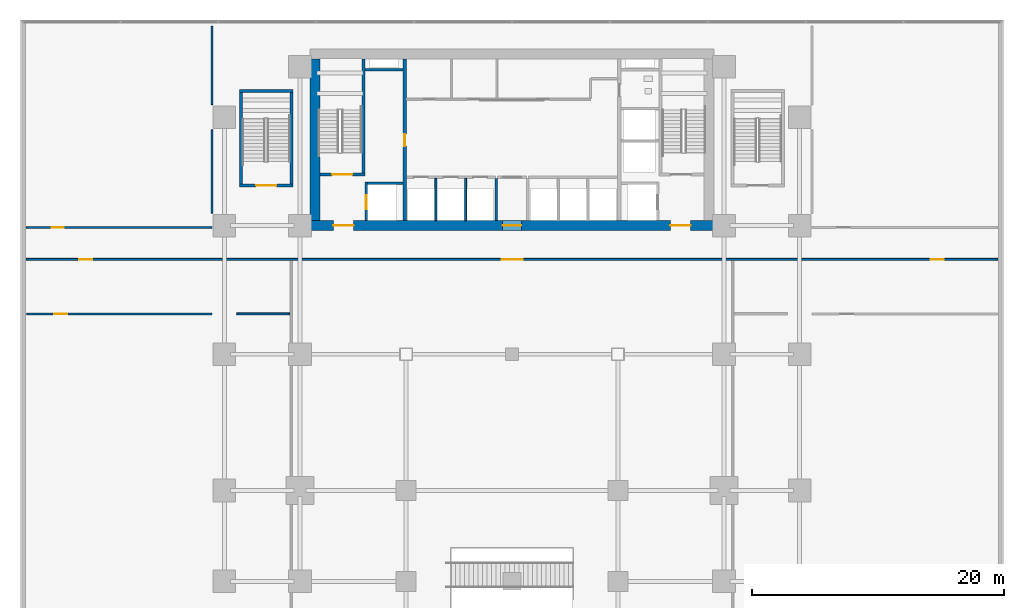
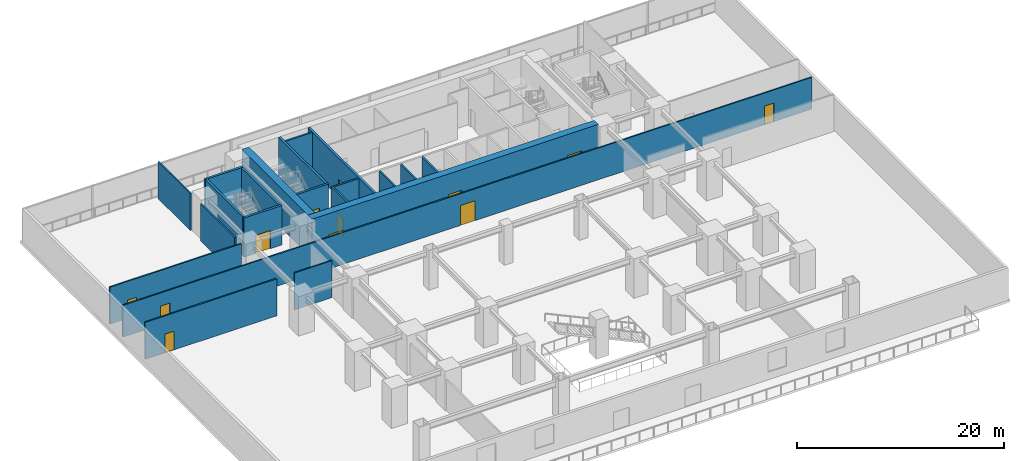
# One storey, part 9 of 17: 21 walls, 12 doors, 12 openings.
"""IFC4 building model written with IfcOpenShell, lengths in metres."""

import ifcopenshell
import ifcopenshell.guid

model = None  # the IFC model being written
_history = None  # IfcOwnerHistory: only IFC2X3 demands one
_inside = {}  # id of a spatial element -> (the spatial element, [elements in it])
_under = {}  # id of a project, library or spatial element -> (it, [spatial elements below it])
_declared = {}  # id of a project -> (the project, [libraries it declares])
_typed = {}  # id of a type object -> (the type object, [elements of that type])
_made_of = {}  # id of a material, layer set ... -> (it, [elements and type objects made of it])


def new_model(schema):
    """Start an empty IFC model of exactly this schema.

    Asked for "IFC4X3", IfcOpenShell would pick the latest addendum, in which some entities
    have other attributes; the version numbers below select the first issue.
    IFC2X3 requires an IfcOwnerHistory on every rooted entity: one is made here for all.
    """
    global model, _history
    if schema == "IFC4X3":
        model = ifcopenshell.file(schema_version=(4, 3, 0, 0))
    else:
        model = ifcopenshell.file(schema=schema)
    _inside.clear()
    _under.clear()
    _declared.clear()
    _typed.clear()
    _made_of.clear()
    _history = None
    if model.schema == "IFC2X3":
        org = make("IfcOrganization", Name="unknown")
        user = make(
            "IfcPersonAndOrganization",
            ThePerson=make("IfcPerson", FamilyName="unknown"),
            TheOrganization=org,
        )
        app = make(
            "IfcApplication",
            ApplicationDeveloper=org,
            Version="unknown",
            ApplicationFullName="unknown",
            ApplicationIdentifier="unknown",
        )
        _history = make(
            "IfcOwnerHistory",
            OwningUser=user,
            OwningApplication=app,
            ChangeAction="ADDED",
            CreationDate=0,
        )
    return model


def make(cls, **values):
    """One entity of the class cls with the attributes given. An attribute that is None is left unset."""
    return model.create_entity(
        cls, **{name: value for name, value in values.items() if value is not None}
    )


def rooted(cls, **values):
    """An entity with a GlobalId (a new one), such as an element, a storey or a relation."""
    return make(cls, GlobalId=ifcopenshell.guid.new(), OwnerHistory=_history, **values)


def si_unit(unit_type, name, prefix=None):
    """IfcSIUnit, for example si_unit("LENGTHUNIT", "METRE", prefix="MILLI")."""
    return make("IfcSIUnit", UnitType=unit_type, Prefix=prefix, Name=name)


def assignment(units):
    """IfcUnitAssignment: the units of a project."""
    return None if units is None else make("IfcUnitAssignment", Units=units)


def point(xyz):
    """IfcCartesianPoint."""
    return None if xyz is None else make("IfcCartesianPoint", Coordinates=xyz)


def direction(xyz):
    """IfcDirection."""
    return None if xyz is None else make("IfcDirection", DirectionRatios=xyz)


def frame(location, z_axis=None, x_axis=None):
    """IfcAxis2Placement3D, a coordinate frame: its origin and axes. An axis left out is left unset."""
    return make(
        "IfcAxis2Placement3D",
        Location=point(location),
        Axis=direction(z_axis),
        RefDirection=direction(x_axis),
    )


def frame_2d(location, x_axis=None):
    """IfcAxis2Placement2D, a coordinate frame in the plane: its origin and x axis."""
    return make(
        "IfcAxis2Placement2D", Location=point(location), RefDirection=direction(x_axis)
    )


def origin():
    """The frame at (0, 0, 0) with its axes left unset."""
    return frame((0.0, 0.0, 0.0))


def place(relative_to, where):
    """IfcLocalPlacement: puts the frame where relative to a parent placement (None: the world)."""
    return make(
        "IfcLocalPlacement", PlacementRelTo=relative_to, RelativePlacement=where
    )


def context(
    kind, dimensions, precision=None, world=None, true_north=None, identifier=None
):
    """IfcGeometricRepresentationContext, for example the 3D "Model" context."""
    return make(
        "IfcGeometricRepresentationContext",
        ContextIdentifier=identifier,
        ContextType=kind,
        CoordinateSpaceDimension=dimensions,
        Precision=precision,
        WorldCoordinateSystem=world,
        TrueNorth=true_north,
    )


def subcontext(parent, identifier, kind, view, scale=None):
    """IfcGeometricRepresentationSubContext, for example "Body" below "Model"."""
    return make(
        "IfcGeometricRepresentationSubContext",
        ContextIdentifier=identifier,
        ContextType=kind,
        ParentContext=parent,
        TargetScale=scale,
        TargetView=view,
    )


def project(units=None, contexts=None):
    """IfcProject with its units and contexts."""
    return rooted(
        "IfcProject",
        Name="project",
        RepresentationContexts=contexts,
        UnitsInContext=assignment(units),
    )


def spatial(cls, under=None, at=None, **own):
    """A site, building, storey or space (cls), placed at a placement, below another one or the project."""
    s = rooted(cls, ObjectPlacement=at, **own)
    if under is not None:
        _under.setdefault(under.id(), (under, []))[1].append(s)
    return s


def profile(cls, at=None, kind="AREA", **sizes):
    """A parametric profile (cls). Its sizes go by their IFC names, for example OverallWidth=200.0."""
    return make(cls, ProfileType=kind, Position=at, **sizes)


def rectangle(**sizes):
    """IfcRectangleProfileDef."""
    return profile("IfcRectangleProfileDef", **sizes)


def extrude(swept, where, along, depth):
    """IfcExtrudedAreaSolid: the profile swept, set in the frame where, extruded along a direction by depth."""
    return make(
        "IfcExtrudedAreaSolid",
        SweptArea=swept,
        Position=where,
        ExtrudedDirection=direction(along),
        Depth=depth,
    )


def shape(context_of_items, identifier, shape_type, items):
    """IfcShapeRepresentation: the items that make up one representation, for example the "Body"."""
    return make(
        "IfcShapeRepresentation",
        ContextOfItems=context_of_items,
        RepresentationIdentifier=identifier,
        RepresentationType=shape_type,
        Items=items,
    )


def source(mapping_origin, context_of_items, identifier, shape_type, items):
    """IfcRepresentationMap: a shape defined once, which mapped items show again and again."""
    return make(
        "IfcRepresentationMap",
        MappingOrigin=mapping_origin,
        MappedRepresentation=shape(context_of_items, identifier, shape_type, items),
    )


def transform(
    local_origin,
    x_axis=None,
    y_axis=None,
    z_axis=None,
    scale=None,
    scale2=None,
    scale3=None,
    uniform=True,
):
    """IfcCartesianTransformationOperator3D, or its non-uniform kind. x_axis, y_axis, z_axis: its Axis1, 2, 3."""
    if uniform:
        return make(
            "IfcCartesianTransformationOperator3D",
            Axis1=direction(x_axis),
            Axis2=direction(y_axis),
            LocalOrigin=point(local_origin),
            Scale=scale,
            Axis3=direction(z_axis),
        )
    return make(
        "IfcCartesianTransformationOperator3DnonUniform",
        Axis1=direction(x_axis),
        Axis2=direction(y_axis),
        LocalOrigin=point(local_origin),
        Scale=scale,
        Axis3=direction(z_axis),
        Scale2=scale2,
        Scale3=scale3,
    )


def mapped(mapping_source, mapping_target):
    """IfcMappedItem: shows the shape of a source again, moved by a transform."""
    return make(
        "IfcMappedItem", MappingSource=mapping_source, MappingTarget=mapping_target
    )


def material(Name=None, Category=None):
    """IfcMaterial."""
    return make("IfcMaterial", Name=Name, Category=Category)


def layer(
    of_material, thickness, ventilated=None, Name=None, Category=None, Priority=None
):
    """IfcMaterialLayer: one layer of a wall or slab, of a material (None: an air gap)."""
    return make(
        "IfcMaterialLayer",
        Material=of_material,
        LayerThickness=thickness,
        IsVentilated=ventilated,
        Name=Name,
        Category=Category,
        Priority=Priority,
    )


def layer_set(layers, Name=None):
    """IfcMaterialLayerSet."""
    return make("IfcMaterialLayerSet", MaterialLayers=layers, LayerSetName=Name)


def made_of(thing, what):
    """Note that an element or type object is made of a material, layer set ...; save() writes the relation."""
    if what is not None:
        _made_of.setdefault(what.id(), (what, []))[1].append(thing)
    return thing


def type_object(cls, material=None, **own):
    """A type object (cls), such as IfcWallType, which elements share."""
    return made_of(rooted(cls, **own), material)


def element(
    cls,
    number,
    at=None,
    inside=None,
    cuts=None,
    type_object=None,
    material=None,
    context=None,
    identifier="Body",
    shape_type=None,
    held_by="IfcProductDefinitionShape",
    body=None,
    shapes=None,
    **own,
):
    """One element of the class cls, such as IfcWall. Its Tag is "e" and its number.

    at: its placement. inside: the storey or other place that contains it. cuts: it is an
    opening in that element (IfcRelVoidsElement). A single representation is given by context,
    identifier, shape_type and body (its items); several are given by shapes. held_by: the class
    of the entity that holds the representations. save() writes the other relations.
    """
    e = rooted(cls, Tag="e%d" % number, ObjectPlacement=at, **own)
    if body is not None:
        shapes = [shape(context, identifier, shape_type, body)]
    if shapes is not None:
        e.Representation = make(held_by, Representations=shapes)
    if inside is not None:
        _inside.setdefault(inside.id(), (inside, []))[1].append(e)
    if cuts is not None:
        rooted(
            "IfcRelVoidsElement", RelatingBuildingElement=cuts, RelatedOpeningElement=e
        )
    if type_object is not None:
        _typed.setdefault(type_object.id(), (type_object, []))[1].append(e)
    return made_of(e, material)


def fill(opening, filler):
    """IfcRelFillsElement: the door or window that sits in an opening."""
    return rooted(
        "IfcRelFillsElement",
        RelatingOpeningElement=opening,
        RelatedBuildingElement=filler,
    )


def aggregate(whole, parts):
    """IfcRelAggregates: a whole, such as a stair, and the parts it consists of."""
    return rooted("IfcRelAggregates", RelatingObject=whole, RelatedObjects=parts)


def save(model, path):
    """Write the relations noted so far, then the file.

    IfcRelAggregates (storeys below a building ...), IfcRelContainedInSpatialStructure (elements
    in a storey), IfcRelDefinesByType, IfcRelAssociatesMaterial and IfcRelDeclares: one each for
    every whole, place, type object, material and project.
    """
    for whole, parts in _under.values():
        aggregate(whole, parts)
    for where, things in _inside.values():
        rooted(
            "IfcRelContainedInSpatialStructure",
            RelatedElements=things,
            RelatingStructure=where,
        )
    for kind, things in _typed.values():
        rooted("IfcRelDefinesByType", RelatedObjects=things, RelatingType=kind)
    for what, things in _made_of.values():
        rooted("IfcRelAssociatesMaterial", RelatedObjects=things, RelatingMaterial=what)
    for by, libraries in _declared.values():
        rooted("IfcRelDeclares", RelatingContext=by, RelatedDefinitions=libraries)
    model.write(path)


model = new_model("IFC4")

# Units and contexts
model_context = context("Model", 3, precision=1e-05, world=origin(), true_north=direction((0.0, 1.0)))
body_context = subcontext(model_context, "Body", "Model", "MODEL_VIEW")
ifc_project = project(units=[si_unit("LENGTHUNIT", "METRE"), si_unit("AREAUNIT", "SQUARE_METRE"), si_unit("VOLUMEUNIT", "CUBIC_METRE"), si_unit("PLANEANGLEUNIT", "RADIAN"), si_unit("MASSUNIT", "GRAM", prefix="KILO")], contexts=[model_context])

# Site, building, storey
site_placement = place(None, origin())
site = spatial("IfcSite", under=ifc_project, at=site_placement, CompositionType="ELEMENT")
building_placement = place(site_placement, origin())
building = spatial("IfcBuilding", under=site, at=building_placement, Name="Sumidabori Civic Tower", CompositionType="ELEMENT")
storey_placement = place(building_placement, frame((0.0, 0.0, 5.0)))
storey = spatial("IfcBuildingStorey", under=building, at=storey_placement, Name="L01", CompositionType="ELEMENT", Elevation=5.0)

# Wall, openings, doors
ifc_material_1 = material(Name="Concrete C60/75", Category="concrete")
ifc_layer_1 = layer(ifc_material_1, 0.800048828125, Name="Concrete C60/75")
ifc_layer_set_1 = layer_set([ifc_layer_1], Name="Concrete C60/75")
wall_type_1 = type_object("IfcWallType", Name="WL-CORE-800", PredefinedType="SHEAR", material=ifc_layer_set_1)
shared_shape_1 = source(origin(), body_context, "Body", "SweptSolid", [
    extrude(rectangle(XDim=32.0, YDim=0.800048828125, at=frame_2d((16.0, 0.0))), origin(), (0.0, 0.0, 1.0), 4.64990234375),
])
wall_1_placement = place(storey_placement, frame((-16.0, 10.199951171875, 0.0), z_axis=(0.0, 0.0, 1.0), x_axis=(1.0, 0.0, 0.0)))
wall_1 = element("IfcWall", 1, at=wall_1_placement, inside=storey, type_object=wall_type_1, Name="Core Shear Wall L01 S", PredefinedType="SHEAR", context=body_context, shape_type="MappedRepresentation", body=[
    mapped(shared_shape_1, transform((0.0, 0.0, 0.0), x_axis=(1.0, 0.0, 0.0), y_axis=(0.0, 1.0, 0.0), z_axis=(0.0, 0.0, 1.0), scale=1.0)),
])
opening_1_placement = place(wall_1_placement, frame((1.85009765625, 0.0, 0.0)))
opening_1 = element("IfcOpeningElement", 2, at=opening_1_placement, cuts=wall_1, Name="Opening DR-FD4", PredefinedType="OPENING", context=body_context, shape_type="SweptSolid", body=[
    extrude(rectangle(XDim=1.60009765625, YDim=2.14990234375, at=frame_2d((0.800048828125, 1.074951171875))), frame((0.0, 0.412109375, 0.0), z_axis=(0.0, -1.0, 0.0), x_axis=(1.0, 0.0, 0.0)), (0.0, 0.0, 1.0), 0.823974609375),
])
opening_2_placement = place(wall_1_placement, frame((28.550048828125, 0.0, 0.0)))
opening_2 = element("IfcOpeningElement", 3, at=opening_2_placement, cuts=wall_1, Name="Opening DR-FD4", PredefinedType="OPENING", context=body_context, shape_type="SweptSolid", body=[
    extrude(rectangle(XDim=1.60009765625, YDim=2.14990234375, at=frame_2d((0.800048828125, 1.074951171875))), frame((0.0, 0.412109375, 0.0), z_axis=(0.0, -1.0, 0.0), x_axis=(1.0, 0.0, 0.0)), (0.0, 0.0, 1.0), 0.823974609375),
])
opening_3_placement = place(wall_1_placement, frame((15.25, 0.0, 0.0)))
opening_3 = element("IfcOpeningElement", 4, at=opening_3_placement, cuts=wall_1, Name="Opening DR-FD3", PredefinedType="OPENING", context=body_context, shape_type="SweptSolid", body=[
    extrude(rectangle(XDim=1.5, YDim=2.199951171875, at=frame_2d((0.75, 1.10009765625))), frame((0.0, 0.412109375, 0.0), z_axis=(0.0, -1.0, 0.0), x_axis=(1.0, 0.0, 0.0)), (0.0, 0.0, 1.0), 0.823974609375),
])
ifc_material_2 = material(Name="Steel SN490", Category="steel")
door_type_1 = type_object("IfcDoorType", Name="DR-FD4", OperationType="DOUBLE_DOOR_SINGLE_SWING", PredefinedType="DOOR", material=ifc_material_2)
shared_shape_2 = source(origin(), body_context, "Body", "SweptSolid", [
    extrude(rectangle(XDim=1.60009765625, YDim=2.14990234375, at=frame_2d((0.800048828125, 1.074951171875))), frame((0.0, 0.02490234375, 0.0), z_axis=(0.0, -1.0, 0.0), x_axis=(1.0, 0.0, 0.0)), (0.0, 0.0, 1.0), 0.050048828125),
])
door_1_placement = place(opening_1_placement, origin())
door_1 = element("IfcDoor", 5, at=door_1_placement, inside=storey, type_object=door_type_1, Name="Door DR:L01:ELOB-W", OperationType="DOUBLE_DOOR_SINGLE_SWING", OverallHeight=2.14990234375, OverallWidth=1.60009765625, PredefinedType="DOOR", context=body_context, shape_type="MappedRepresentation", body=[
    mapped(shared_shape_2, transform((0.0, 0.0, 0.0), x_axis=(1.0, 0.0, 0.0), y_axis=(0.0, 1.0, 0.0), z_axis=(0.0, 0.0, 1.0), scale=1.0)),
])
fill(opening_1, door_1)
door_2_placement = place(opening_2_placement, origin())
door_2 = element("IfcDoor", 6, at=door_2_placement, inside=storey, type_object=door_type_1, Name="Door DR:L01:ELOB-E", OperationType="DOUBLE_DOOR_SINGLE_SWING", OverallHeight=2.14990234375, OverallWidth=1.60009765625, PredefinedType="DOOR", context=body_context, shape_type="MappedRepresentation", body=[
    mapped(shared_shape_2, transform((0.0, 0.0, 0.0), x_axis=(1.0, 0.0, 0.0), y_axis=(0.0, 1.0, 0.0), z_axis=(0.0, 0.0, 1.0), scale=1.0)),
])
fill(opening_2, door_2)
door_type_2 = type_object("IfcDoorType", Name="DR-FD-DBL", OperationType="DOUBLE_DOOR_SINGLE_SWING", PredefinedType="DOOR", material=ifc_material_2)
shared_shape_3 = source(origin(), body_context, "Body", "SweptSolid", [
    extrude(rectangle(XDim=1.5, YDim=2.199951171875, at=frame_2d((0.75, 1.10009765625))), frame((0.0, 0.02490234375, 0.0), z_axis=(0.0, -1.0, 0.0), x_axis=(1.0, 0.0, 0.0)), (0.0, 0.0, 1.0), 0.050048828125),
])
door_3_placement = place(opening_3_placement, origin())
door_3 = element("IfcDoor", 7, at=door_3_placement, inside=storey, type_object=door_type_2, Name="Door DR:L01:THROAT-OUT", OperationType="DOUBLE_DOOR_SINGLE_SWING", OverallHeight=2.199951171875, OverallWidth=1.5, PredefinedType="DOOR", context=body_context, shape_type="MappedRepresentation", body=[
    mapped(shared_shape_3, transform((0.0, 0.0, 0.0), x_axis=(1.0, 0.0, 0.0), y_axis=(0.0, 1.0, 0.0), z_axis=(0.0, 0.0, 1.0), scale=1.0)),
])
fill(opening_3, door_3)

# Wall
shared_shape_4 = source(origin(), body_context, "Body", "SweptSolid", [
    extrude(rectangle(XDim=12.7998046875, YDim=0.800048828125, at=frame_2d((6.39990234375, 0.0))), origin(), (0.0, 0.0, 1.0), 4.64990234375),
])
wall_2_placement = place(storey_placement, frame((-15.60009765625, 10.60009765625, 0.0), z_axis=(0.0, 0.0, 1.0), x_axis=(0.0, 1.0, 0.0)))
element("IfcWall", 8, at=wall_2_placement, inside=storey, type_object=wall_type_1, Name="Core Shear Wall L01 W", PredefinedType="SHEAR", context=body_context, shape_type="MappedRepresentation", body=[
    mapped(shared_shape_4, transform((0.0, 0.0, 0.0), x_axis=(1.0, 0.0, 0.0), y_axis=(0.0, 1.0, 0.0), z_axis=(0.0, 0.0, 1.0), scale=1.0)),
])

# Wall, opening, door
ifc_material_3 = material(Name="Concrete C50/60", Category="concrete")
ifc_layer_2 = layer(ifc_material_3, 0.25, Name="Concrete C50/60")
ifc_layer_set_2 = layer_set([ifc_layer_2], Name="Concrete C50/60")
wall_type_2 = type_object("IfcWallType", Name="WL-SHAFT-250", PredefinedType="SHEAR", material=ifc_layer_set_2)
shared_shape_5 = source(origin(), body_context, "Body", "SweptSolid", [
    extrude(rectangle(XDim=12.7998046875, YDim=0.25, at=frame_2d((6.39990234375, 0.0))), origin(), (0.0, 0.0, 1.0), 4.64990234375),
])
wall_3_placement = place(storey_placement, frame((-8.5, 10.60009765625, 0.0), z_axis=(0.0, 0.0, 1.0), x_axis=(0.0, 1.0, 0.0)))
wall_3 = element("IfcWall", 9, at=wall_3_placement, inside=storey, type_object=wall_type_2, Name="Core Shear Wall L01 WEB-W", PredefinedType="SHEAR", context=body_context, shape_type="MappedRepresentation", body=[
    mapped(shared_shape_5, transform((0.0, 0.0, 0.0), x_axis=(1.0, 0.0, 0.0), y_axis=(0.0, 1.0, 0.0), z_axis=(0.0, 0.0, 1.0), scale=1.0)),
])
opening_4_placement = place(wall_3_placement, frame((5.89990234375, 0.0, 0.0)))
opening_4 = element("IfcOpeningElement", 10, at=opening_4_placement, cuts=wall_3, Name="Opening DR-FD2", PredefinedType="OPENING", context=body_context, shape_type="SweptSolid", body=[
    extrude(rectangle(XDim=0.949951171875, YDim=2.14990234375, at=frame_2d((0.47509765625, 1.074951171875))), frame((0.0, 0.136962890625, 0.0), z_axis=(0.0, -1.0, 0.0), x_axis=(1.0, 0.0, 0.0)), (0.0, 0.0, 1.0), 0.27392578125),
])
door_type_3 = type_object("IfcDoorType", Name="DR-FD2", OperationType="NOTDEFINED", PredefinedType="DOOR", material=ifc_material_2)
shared_shape_6 = source(origin(), body_context, "Body", "SweptSolid", [
    extrude(rectangle(XDim=0.949951171875, YDim=2.14990234375, at=frame_2d((0.47509765625, 1.074951171875))), frame((0.0, 0.02490234375, 0.0), z_axis=(0.0, -1.0, 0.0), x_axis=(1.0, 0.0, 0.0)), (0.0, 0.0, 1.0), 0.050048828125),
])
door_4_placement = place(opening_4_placement, origin())
door_4 = element("IfcDoor", 11, at=door_4_placement, inside=storey, type_object=door_type_3, Name="Door DR:L01:CW-STR", OperationType="SINGLE_SWING_LEFT", OverallHeight=2.14990234375, OverallWidth=0.949951171875, PredefinedType="DOOR", context=body_context, shape_type="MappedRepresentation", body=[
    mapped(shared_shape_6, transform((0.0, 0.0, 0.0), x_axis=(1.0, 0.0, 0.0), y_axis=(0.0, 1.0, 0.0), z_axis=(0.0, 0.0, 1.0), scale=1.0)),
])
fill(opening_4, door_4)

shared_shape_7 = source(origin(), body_context, "Body", "SweptSolid", [
    extrude(rectangle(XDim=3.554931640625, YDim=0.25, at=frame_2d((1.77734375, 0.0))), origin(), (0.0, 0.0, 1.0), 4.64990234375),
])
wall_4_placement = place(storey_placement, frame((-15.199951171875, 14.25, 0.0), z_axis=(0.0, 0.0, 1.0), x_axis=(1.0, 0.0, 0.0)))
wall_4 = element("IfcWall", 12, at=wall_4_placement, inside=storey, type_object=wall_type_2, Name="Core Shear Wall L01 ST1-S", PredefinedType="SHEAR", context=body_context, shape_type="MappedRepresentation", body=[
    mapped(shared_shape_7, transform((0.0, 0.0, 0.0), x_axis=(1.0, 0.0, 0.0), y_axis=(0.0, 1.0, 0.0), z_axis=(0.0, 0.0, 1.0), scale=1.0)),
])
opening_5_placement = place(wall_4_placement, frame((0.949951171875, 0.0, 0.0)))
opening_5 = element("IfcOpeningElement", 13, at=opening_5_placement, cuts=wall_4, Name="Opening DR-FD4", PredefinedType="OPENING", context=body_context, shape_type="SweptSolid", body=[
    extrude(rectangle(XDim=1.60009765625, YDim=2.14990234375, at=frame_2d((0.800048828125, 1.074951171875))), frame((0.0, 0.136962890625, 0.0), z_axis=(0.0, -1.0, 0.0), x_axis=(1.0, 0.0, 0.0)), (0.0, 0.0, 1.0), 0.27392578125),
])
door_5_placement = place(opening_5_placement, origin())
door_5 = element("IfcDoor", 14, at=door_5_placement, inside=storey, type_object=door_type_1, Name="Door DR:L01:ST1", OperationType="DOUBLE_DOOR_SINGLE_SWING", OverallHeight=2.14990234375, OverallWidth=1.60009765625, PredefinedType="DOOR", context=body_context, shape_type="MappedRepresentation", body=[
    mapped(shared_shape_2, transform((0.0, 0.0, 0.0), x_axis=(1.0, 0.0, 0.0), y_axis=(0.0, 1.0, 0.0), z_axis=(0.0, 0.0, 1.0), scale=1.0)),
])
fill(opening_5, door_5)

# Wall
shared_shape_8 = source(origin(), body_context, "Body", "SweptSolid", [
    extrude(rectangle(XDim=9.02490234375, YDim=0.25, at=frame_2d((4.512451171875, 0.0))), origin(), (0.0, 0.0, 1.0), 4.64990234375),
])
wall_5_placement = place(storey_placement, frame((-11.77001953125, 14.375, 0.0), z_axis=(0.0, 0.0, 1.0), x_axis=(0.0, 1.0, 0.0)))
element("IfcWall", 15, at=wall_5_placement, inside=storey, type_object=wall_type_2, Name="Core Shear Wall L01 ST1-E", PredefinedType="SHEAR", context=body_context, shape_type="MappedRepresentation", body=[
    mapped(shared_shape_8, transform((0.0, 0.0, 0.0), x_axis=(1.0, 0.0, 0.0), y_axis=(0.0, 1.0, 0.0), z_axis=(0.0, 0.0, 1.0), scale=1.0)),
])

# Wall, opening, door
ifc_layer_3 = layer(ifc_material_3, 0.199951171875, Name="Concrete C50/60")
ifc_layer_set_3 = layer_set([ifc_layer_3], Name="Concrete C50/60")
wall_type_3 = type_object("IfcWallType", Name="WL-SHAFT-200", PredefinedType="SHEAR", material=ifc_layer_set_3)
shared_shape_9 = source(origin(), body_context, "Body", "SweptSolid", [
    extrude(rectangle(XDim=3.0498046875, YDim=0.199951171875, at=frame_2d((1.52490234375, 0.0))), origin(), (0.0, 0.0, 1.0), 4.64990234375),
])
wall_6_placement = place(storey_placement, frame((-11.550048828125, 10.60009765625, 0.0), z_axis=(0.0, 0.0, 1.0), x_axis=(0.0, 1.0, 0.0)))
wall_6 = element("IfcWall", 16, at=wall_6_placement, inside=storey, type_object=wall_type_3, Name="Core Shear Wall L01 EL1-W", PredefinedType="SHEAR", context=body_context, shape_type="MappedRepresentation", body=[
    mapped(shared_shape_9, transform((0.0, 0.0, 0.0), x_axis=(1.0, 0.0, 0.0), y_axis=(0.0, 1.0, 0.0), z_axis=(0.0, 0.0, 1.0), scale=1.0)),
])
opening_6_placement = place(wall_6_placement, frame((0.89990234375, 0.0, 0.0)))
opening_6 = element("IfcOpeningElement", 17, at=opening_6_placement, cuts=wall_6, Name="Opening LD-2", PredefinedType="OPENING", context=body_context, shape_type="SweptSolid", body=[
    extrude(rectangle(XDim=1.10009765625, YDim=2.14990234375, at=frame_2d((0.550048828125, 1.074951171875))), frame((0.0, 0.11181640625, 0.0), z_axis=(0.0, -1.0, 0.0), x_axis=(1.0, 0.0, 0.0)), (0.0, 0.0, 1.0), 0.223876953125),
])
ifc_material_4 = material(Name="Stainless Steel Hairline Finish", Category="steel")
door_type_4 = type_object("IfcDoorType", Name="DR-LD2", OperationType="DOUBLE_DOOR_SLIDING", PredefinedType="DOOR", material=ifc_material_4)
shared_shape_10 = source(origin(), body_context, "Body", "SweptSolid", [
    extrude(rectangle(XDim=1.10009765625, YDim=2.14990234375, at=frame_2d((0.550048828125, 1.074951171875))), frame((0.0, 0.02490234375, 0.0), z_axis=(0.0, -1.0, 0.0), x_axis=(1.0, 0.0, 0.0)), (0.0, 0.0, 1.0), 0.050048828125),
])
door_6_placement = place(opening_6_placement, origin())
door_6 = element("IfcDoor", 18, at=door_6_placement, inside=storey, type_object=door_type_4, Name="Door DR:L01:LD-EL1", OperationType="DOUBLE_DOOR_SLIDING", OverallHeight=2.14990234375, OverallWidth=1.10009765625, PredefinedType="DOOR", context=body_context, shape_type="MappedRepresentation", body=[
    mapped(shared_shape_10, transform((0.0, 0.0, 0.0), x_axis=(1.0, 0.0, 0.0), y_axis=(0.0, 1.0, 0.0), z_axis=(0.0, 0.0, 1.0), scale=1.0)),
])
fill(opening_6, door_6)

# Walls
shared_shape_11 = source(origin(), body_context, "Body", "SweptSolid", [
    extrude(rectangle(XDim=2.824951171875, YDim=0.199951171875, at=frame_2d((1.41259765625, 0.0))), origin(), (0.0, 0.0, 1.0), 4.64990234375),
])
wall_7_placement = place(storey_placement, frame((-11.449951171875, 13.550048828125, 0.0), z_axis=(0.0, 0.0, 1.0), x_axis=(1.0, 0.0, 0.0)))
element("IfcWall", 19, at=wall_7_placement, inside=storey, type_object=wall_type_3, Name="Core Shear Wall L01 EL1-N", PredefinedType="SHEAR", context=body_context, shape_type="MappedRepresentation", body=[
    mapped(shared_shape_11, transform((0.0, 0.0, 0.0), x_axis=(1.0, 0.0, 0.0), y_axis=(0.0, 1.0, 0.0), z_axis=(0.0, 0.0, 1.0), scale=1.0)),
])
shared_shape_12 = source(origin(), body_context, "Body", "SweptSolid", [
    extrude(rectangle(XDim=3.02001953125, YDim=0.199951171875, at=frame_2d((1.510009765625, 0.0))), origin(), (0.0, 0.0, 1.0), 4.64990234375),
])
wall_8_placement = place(storey_placement, frame((-11.64501953125, 22.550048828125, 0.0), z_axis=(0.0, 0.0, 1.0), x_axis=(1.0, 0.0, 0.0)))
element("IfcWall", 20, at=wall_8_placement, inside=storey, type_object=wall_type_3, Name="Core Shear Wall L01 RIS1-S", PredefinedType="SHEAR", context=body_context, shape_type="MappedRepresentation", body=[
    mapped(shared_shape_12, transform((0.0, 0.0, 0.0), x_axis=(1.0, 0.0, 0.0), y_axis=(0.0, 1.0, 0.0), z_axis=(0.0, 0.0, 1.0), scale=1.0)),
])
shared_shape_13 = source(origin(), body_context, "Body", "SweptSolid", [
    extrude(rectangle(XDim=4.260009765625, YDim=0.25, at=frame_2d((2.1298828125, 0.0))), origin(), (0.0, 0.0, 1.0), 4.64990234375),
])
wall_9_placement = place(storey_placement, frame((-21.610107421875, 20.864990234375, 0.0), z_axis=(0.0, 0.0, 1.0), x_axis=(1.0, 0.0, 0.0)))
element("IfcWall", 21, at=wall_9_placement, inside=storey, type_object=wall_type_2, Name="Core Shear Wall L01 ST3-N", PredefinedType="SHEAR", context=body_context, shape_type="MappedRepresentation", body=[
    mapped(shared_shape_13, transform((0.0, 0.0, 0.0), x_axis=(1.0, 0.0, 0.0), y_axis=(0.0, 1.0, 0.0), z_axis=(0.0, 0.0, 1.0), scale=1.0)),
])

# Wall, opening, door
wall_10_placement = place(storey_placement, frame((-21.610107421875, 13.375, 0.0), z_axis=(0.0, 0.0, 1.0), x_axis=(1.0, 0.0, 0.0)))
wall_10 = element("IfcWall", 22, at=wall_10_placement, inside=storey, type_object=wall_type_2, Name="Core Shear Wall L01 ST3-S", PredefinedType="SHEAR", context=body_context, shape_type="MappedRepresentation", body=[
    mapped(shared_shape_13, transform((0.0, 0.0, 0.0), x_axis=(1.0, 0.0, 0.0), y_axis=(0.0, 1.0, 0.0), z_axis=(0.0, 0.0, 1.0), scale=1.0)),
])
opening_7_placement = place(wall_10_placement, frame((1.330078125, 0.0, 0.0)))
opening_7 = element("IfcOpeningElement", 23, at=opening_7_placement, cuts=wall_10, Name="Opening DR-FD4", PredefinedType="OPENING", context=body_context, shape_type="SweptSolid", body=[
    extrude(rectangle(XDim=1.60009765625, YDim=2.14990234375, at=frame_2d((0.800048828125, 1.074951171875))), frame((0.0, 0.136962890625, 0.0), z_axis=(0.0, -1.0, 0.0), x_axis=(1.0, 0.0, 0.0)), (0.0, 0.0, 1.0), 0.27392578125),
])
door_7_placement = place(opening_7_placement, origin())
door_7 = element("IfcDoor", 24, at=door_7_placement, inside=storey, type_object=door_type_1, Name="Door DR:L01:ST3", OperationType="DOUBLE_DOOR_SINGLE_SWING", OverallHeight=2.14990234375, OverallWidth=1.60009765625, PredefinedType="DOOR", context=body_context, shape_type="MappedRepresentation", body=[
    mapped(shared_shape_2, transform((0.0, 0.0, 0.0), x_axis=(1.0, 0.0, 0.0), y_axis=(0.0, 1.0, 0.0), z_axis=(0.0, 0.0, 1.0), scale=1.0)),
])
fill(opening_7, door_7)

# Walls
shared_shape_14 = source(origin(), body_context, "Body", "SweptSolid", [
    extrude(rectangle(XDim=7.230224609375, YDim=0.25, at=frame_2d((3.615234375, 0.0))), origin(), (0.0, 0.0, 1.0), 4.64990234375),
])
for number, where, z_axis, x_axis, name in (
    (25, (-21.485107421875, 13.5048828125, 0.0), (0.0, 0.0, 1.0), (0.0, 1.0, 0.0), "Core Shear Wall L01 ST3-W"),
    (26, (-17.47509765625, 13.5048828125, 0.0), (0.0, 0.0, 1.0), (0.0, 1.0, 0.0), "Core Shear Wall L01 ST3-E"),
):
    element("IfcWall", number, at=place(storey_placement, frame(where, z_axis=z_axis, x_axis=x_axis)), inside=storey, type_object=wall_type_2, Name=name, PredefinedType="SHEAR", context=body_context, shape_type="MappedRepresentation", body=[
        mapped(shared_shape_14, transform((0.0, 0.0, 0.0), x_axis=(1.0, 0.0, 0.0), y_axis=(0.0, 1.0, 0.0), z_axis=(0.0, 0.0, 1.0), scale=1.0)),
    ])
ifc_material_5 = material(Name="Gypsum Plasterboard Fire Partition")
ifc_layer_4 = layer(ifc_material_5, 0.199951171875, Name="Gypsum Plasterboard Fire Partition")
ifc_layer_set_4 = layer_set([ifc_layer_4], Name="Gypsum Plasterboard Fire Partition")
wall_type_4 = type_object("IfcWallType", Name="WL-PART-FIRE", PredefinedType="PARTITIONING", material=ifc_layer_set_4)
shared_shape_15 = source(origin(), body_context, "Body", "SweptSolid", [
    extrude(rectangle(XDim=3.33984375, YDim=0.199951171875, at=frame_2d((1.669921875, 0.0))), origin(), (0.0, 0.0, 1.0), 4.3701171875),
])
wall_11_placement = place(storey_placement, frame((-1.25, 10.60009765625, 0.0), z_axis=(0.0, 0.0, 1.0), x_axis=(0.0, 1.0, 0.0)))
element("IfcWall", 27, at=wall_11_placement, inside=storey, type_object=wall_type_4, Name="Interior Partition WL:L01:THROAT-W", PredefinedType="PARTITIONING", context=body_context, shape_type="MappedRepresentation", body=[
    mapped(shared_shape_15, transform((0.0, 0.0, 0.0), x_axis=(1.0, 0.0, 0.0), y_axis=(0.0, 1.0, 0.0), z_axis=(0.0, 0.0, 1.0), scale=1.0)),
])
ifc_material_6 = material(Name="Gypsum Plasterboard Acoustic Partition")
ifc_layer_5 = layer(ifc_material_6, 0.14990234375, Name="Gypsum Plasterboard Acoustic Partition")
ifc_layer_set_5 = layer_set([ifc_layer_5], Name="Gypsum Plasterboard Acoustic Partition")
wall_type_5 = type_object("IfcWallType", Name="WL-PART-150", PredefinedType="PARTITIONING", material=ifc_layer_set_5)
shared_shape_16 = source(origin(), body_context, "Body", "SweptSolid", [
    extrude(rectangle(XDim=3.33984375, YDim=0.14990234375, at=frame_2d((1.669921875, 0.0))), origin(), (0.0, 0.0, 1.0), 4.3701171875),
])
for number, where, z_axis, x_axis, name in (
    (28, (-6.030029296875, 10.60009765625, 0.0), (0.0, 0.0, 1.0), (0.0, 1.0, 0.0), "Interior Partition WL:L01:DIV-PLL1"),
    (29, (-3.679931640625, 10.60009765625, 0.0), (0.0, 0.0, 1.0), (0.0, 1.0, 0.0), "Interior Partition WL:L01:DIV-PLL2"),
):
    element("IfcWall", number, at=place(storey_placement, frame(where, z_axis=z_axis, x_axis=x_axis)), inside=storey, type_object=wall_type_5, Name=name, PredefinedType="PARTITIONING", context=body_context, shape_type="MappedRepresentation", body=[
        mapped(shared_shape_16, transform((0.0, 0.0, 0.0), x_axis=(1.0, 0.0, 0.0), y_axis=(0.0, 1.0, 0.0), z_axis=(0.0, 0.0, 1.0), scale=1.0)),
    ])

# Wall, openings, doors
shared_shape_17 = source(origin(), body_context, "Body", "SweptSolid", [
    extrude(rectangle(XDim=77.0, YDim=0.14990234375, at=frame_2d((38.5, 0.0))), origin(), (0.0, 0.0, 1.0), 3.7548828125),
])
wall_12_placement = place(storey_placement, frame((-38.5, 7.52001953125, 0.0), z_axis=(0.0, 0.0, 1.0), x_axis=(1.0, 0.0, 0.0)))
wall_12 = element("IfcWall", 30, at=wall_12_placement, inside=storey, type_object=wall_type_5, Name="Interior Partition WL:L01:CORR-S", PredefinedType="PARTITIONING", context=body_context, shape_type="MappedRepresentation", body=[
    mapped(shared_shape_17, transform((0.0, 0.0, 0.0), x_axis=(1.0, 0.0, 0.0), y_axis=(0.0, 1.0, 0.0), z_axis=(0.0, 0.0, 1.0), scale=1.0)),
])
opening_8_placement = place(wall_12_placement, frame((4.199951171875, 0.0, 0.0)))
opening_8 = element("IfcOpeningElement", 31, at=opening_8_placement, cuts=wall_12, Name="Opening DR-4", PredefinedType="OPENING", context=body_context, shape_type="SweptSolid", body=[
    extrude(rectangle(XDim=1.0400390625, YDim=2.199951171875, at=frame_2d((0.52001953125, 1.10009765625))), frame((0.0, 0.0869140625, 0.0), z_axis=(0.0, -1.0, 0.0), x_axis=(1.0, 0.0, 0.0)), (0.0, 0.0, 1.0), 0.173828125),
])
opening_9_placement = place(wall_12_placement, frame((37.699951171875, 0.0, 0.0)))
opening_9 = element("IfcOpeningElement", 32, at=opening_9_placement, cuts=wall_12, Name="Opening DR-6", PredefinedType="OPENING", context=body_context, shape_type="SweptSolid", body=[
    extrude(rectangle(XDim=1.64990234375, YDim=2.35009765625, at=frame_2d((0.824951171875, 1.175048828125))), frame((0.0, 0.0869140625, 0.0), z_axis=(0.0, -1.0, 0.0), x_axis=(1.0, 0.0, 0.0)), (0.0, 0.0, 1.0), 0.173828125),
])
opening_10_placement = place(wall_12_placement, frame((71.699951171875, 0.0, 0.0)))
opening_10 = element("IfcOpeningElement", 33, at=opening_10_placement, cuts=wall_12, Name="Opening DR-4", PredefinedType="OPENING", context=body_context, shape_type="SweptSolid", body=[
    extrude(rectangle(XDim=1.0400390625, YDim=2.199951171875, at=frame_2d((0.52001953125, 1.10009765625))), frame((0.0, 0.0869140625, 0.0), z_axis=(0.0, -1.0, 0.0), x_axis=(1.0, 0.0, 0.0)), (0.0, 0.0, 1.0), 0.173828125),
])
ifc_material_7 = material(Name="Anodised Bronze Aluminium AW-6063-T6", Category="aluminium")
door_type_5 = type_object("IfcDoorType", Name="DR-DBL-1650", OperationType="DOUBLE_DOOR_SINGLE_SWING", PredefinedType="DOOR", material=ifc_material_7)
shared_shape_18 = source(origin(), body_context, "Body", "SweptSolid", [
    extrude(rectangle(XDim=1.64990234375, YDim=2.35009765625, at=frame_2d((0.824951171875, 1.175048828125))), frame((0.0, 0.02490234375, 0.0), z_axis=(0.0, -1.0, 0.0), x_axis=(1.0, 0.0, 0.0)), (0.0, 0.0, 1.0), 0.050048828125),
])
door_8_placement = place(opening_9_placement, origin())
door_8 = element("IfcDoor", 34, at=door_8_placement, inside=storey, type_object=door_type_5, Name="Door DR:L01:PD-2", OperationType="DOUBLE_DOOR_SINGLE_SWING", OverallHeight=2.35009765625, OverallWidth=1.64990234375, PredefinedType="DOOR", context=body_context, shape_type="MappedRepresentation", body=[
    mapped(shared_shape_18, transform((0.0, 0.0, 0.0), x_axis=(1.0, 0.0, 0.0), y_axis=(0.0, 1.0, 0.0), z_axis=(0.0, 0.0, 1.0), scale=1.0)),
])
fill(opening_9, door_8)
ifc_material_8 = material(Name="Japanese Hinoki Timber", Category="wood")
door_type_6 = type_object("IfcDoorType", Name="DR-INT-1040", OperationType="NOTDEFINED", PredefinedType="DOOR", material=ifc_material_8)
shared_shape_19 = source(origin(), body_context, "Body", "SweptSolid", [
    extrude(rectangle(XDim=1.0400390625, YDim=2.199951171875, at=frame_2d((0.52001953125, 1.10009765625))), frame((0.0, 0.02490234375, 0.0), z_axis=(0.0, -1.0, 0.0), x_axis=(1.0, 0.0, 0.0)), (0.0, 0.0, 1.0), 0.050048828125),
])
door_9_placement = place(opening_8_placement, origin())
door_9 = element("IfcDoor", 35, at=door_9_placement, inside=storey, type_object=door_type_6, Name="Door DR:L01:PD-1", OperationType="SINGLE_SWING_LEFT", OverallHeight=2.199951171875, OverallWidth=1.0400390625, PredefinedType="DOOR", context=body_context, shape_type="MappedRepresentation", body=[
    mapped(shared_shape_19, transform((0.0, 0.0, 0.0), x_axis=(1.0, 0.0, 0.0), y_axis=(0.0, 1.0, 0.0), z_axis=(0.0, 0.0, 1.0), scale=1.0)),
])
fill(opening_8, door_9)
door_10_placement = place(opening_10_placement, origin())
door_10 = element("IfcDoor", 36, at=door_10_placement, inside=storey, type_object=door_type_6, Name="Door DR:L01:PD-3", OperationType="SINGLE_SWING_RIGHT", OverallHeight=2.199951171875, OverallWidth=1.0400390625, PredefinedType="DOOR", context=body_context, shape_type="MappedRepresentation", body=[
    mapped(shared_shape_19, transform((0.0, 0.0, 0.0), x_axis=(1.0, 0.0, 0.0), y_axis=(0.0, 1.0, 0.0), z_axis=(0.0, 0.0, 1.0), scale=1.0)),
])
fill(opening_10, door_10)

# Wall, opening, door
shared_shape_20 = source(origin(), body_context, "Body", "SweptSolid", [
    extrude(rectangle(XDim=14.699951171875, YDim=0.14990234375, at=frame_2d((7.35009765625, 0.0))), origin(), (0.0, 0.0, 1.0), 4.3701171875),
])
wall_13_placement = place(storey_placement, frame((-38.5, 10.050048828125, 0.0), z_axis=(0.0, 0.0, 1.0), x_axis=(1.0, 0.0, 0.0)))
wall_13 = element("IfcWall", 37, at=wall_13_placement, inside=storey, type_object=wall_type_5, Name="Interior Partition WL:L01:CORR-NW", PredefinedType="PARTITIONING", context=body_context, shape_type="MappedRepresentation", body=[
    mapped(shared_shape_20, transform((0.0, 0.0, 0.0), x_axis=(1.0, 0.0, 0.0), y_axis=(0.0, 1.0, 0.0), z_axis=(0.0, 0.0, 1.0), scale=1.0)),
])
opening_11_placement = place(wall_13_placement, frame((2.0, 0.0, 0.0)))
opening_11 = element("IfcOpeningElement", 38, at=opening_11_placement, cuts=wall_13, Name="Opening DR-3", PredefinedType="OPENING", context=body_context, shape_type="SweptSolid", body=[
    extrude(rectangle(XDim=0.97998046875, YDim=2.14990234375, at=frame_2d((0.489990234375, 1.074951171875))), frame((0.0, 0.0869140625, 0.0), z_axis=(0.0, -1.0, 0.0), x_axis=(1.0, 0.0, 0.0)), (0.0, 0.0, 1.0), 0.173828125),
])
door_type_7 = type_object("IfcDoorType", Name="DR-INT-980", OperationType="NOTDEFINED", PredefinedType="DOOR", material=ifc_material_8)
shared_shape_21 = source(origin(), body_context, "Body", "SweptSolid", [
    extrude(rectangle(XDim=0.97998046875, YDim=2.14990234375, at=frame_2d((0.489990234375, 1.074951171875))), frame((0.0, 0.02490234375, 0.0), z_axis=(0.0, -1.0, 0.0), x_axis=(1.0, 0.0, 0.0)), (0.0, 0.0, 1.0), 0.050048828125),
])
door_11_placement = place(opening_11_placement, origin())
door_11 = element("IfcDoor", 39, at=door_11_placement, inside=storey, type_object=door_type_7, Name="Door DR:L01:PD-NW", OperationType="SINGLE_SWING_LEFT", OverallHeight=2.14990234375, OverallWidth=0.97998046875, PredefinedType="DOOR", context=body_context, shape_type="MappedRepresentation", body=[
    mapped(shared_shape_21, transform((0.0, 0.0, 0.0), x_axis=(1.0, 0.0, 0.0), y_axis=(0.0, 1.0, 0.0), z_axis=(0.0, 0.0, 1.0), scale=1.0)),
])
fill(opening_11, door_11)

wall_14_placement = place(storey_placement, frame((-38.5, 3.199951171875, 0.0), z_axis=(0.0, 0.0, 1.0), x_axis=(1.0, 0.0, 0.0)))
wall_14 = element("IfcWall", 40, at=wall_14_placement, inside=storey, type_object=wall_type_5, Name="Interior Partition WL:L01:SUB-W1", PredefinedType="PARTITIONING", context=body_context, shape_type="MappedRepresentation", body=[
    mapped(shared_shape_20, transform((0.0, 0.0, 0.0), x_axis=(1.0, 0.0, 0.0), y_axis=(0.0, 1.0, 0.0), z_axis=(0.0, 0.0, 1.0), scale=1.0)),
])
opening_12_placement = place(wall_14_placement, frame((2.199951171875, 0.0, 0.0)))
opening_12 = element("IfcOpeningElement", 41, at=opening_12_placement, cuts=wall_14, Name="Opening DR-4", PredefinedType="OPENING", context=body_context, shape_type="SweptSolid", body=[
    extrude(rectangle(XDim=1.0400390625, YDim=2.199951171875, at=frame_2d((0.52001953125, 1.10009765625))), frame((0.0, 0.0869140625, 0.0), z_axis=(0.0, -1.0, 0.0), x_axis=(1.0, 0.0, 0.0)), (0.0, 0.0, 1.0), 0.173828125),
])
door_12_placement = place(opening_12_placement, origin())
door_12 = element("IfcDoor", 42, at=door_12_placement, inside=storey, type_object=door_type_6, Name="Door DR:L01:PD-SW", OperationType="SINGLE_SWING_LEFT", OverallHeight=2.199951171875, OverallWidth=1.0400390625, PredefinedType="DOOR", context=body_context, shape_type="MappedRepresentation", body=[
    mapped(shared_shape_19, transform((0.0, 0.0, 0.0), x_axis=(1.0, 0.0, 0.0), y_axis=(0.0, 1.0, 0.0), z_axis=(0.0, 0.0, 1.0), scale=1.0)),
])
fill(opening_12, door_12)

# Walls
shared_shape_22 = source(origin(), body_context, "Body", "SweptSolid", [
    extrude(rectangle(XDim=6.60009765625, YDim=0.14990234375, at=frame_2d((3.300048828125, 0.0))), origin(), (0.0, 0.0, 1.0), 4.3701171875),
])
wall_15_placement = place(storey_placement, frame((-23.780029296875, 11.199951171875, 0.0), z_axis=(0.0, 0.0, 1.0), x_axis=(0.0, 1.0, 0.0)))
element("IfcWall", 43, at=wall_15_placement, inside=storey, type_object=wall_type_5, Name="Interior Partition WL:L01:NW-E1", PredefinedType="PARTITIONING", context=body_context, shape_type="MappedRepresentation", body=[
    mapped(shared_shape_22, transform((0.0, 0.0, 0.0), x_axis=(1.0, 0.0, 0.0), y_axis=(0.0, 1.0, 0.0), z_axis=(0.0, 0.0, 1.0), scale=1.0)),
])
shared_shape_23 = source(origin(), body_context, "Body", "SweptSolid", [
    extrude(rectangle(XDim=6.199951171875, YDim=0.14990234375, at=frame_2d((3.10009765625, 0.0))), origin(), (0.0, 0.0, 1.0), 4.3701171875),
])
wall_16_placement = place(storey_placement, frame((-23.780029296875, 19.800048828125, 0.0), z_axis=(0.0, 0.0, 1.0), x_axis=(0.0, 1.0, 0.0)))
element("IfcWall", 44, at=wall_16_placement, inside=storey, type_object=wall_type_5, Name="Interior Partition WL:L01:NW-E2", PredefinedType="PARTITIONING", context=body_context, shape_type="MappedRepresentation", body=[
    mapped(shared_shape_23, transform((0.0, 0.0, 0.0), x_axis=(1.0, 0.0, 0.0), y_axis=(0.0, 1.0, 0.0), z_axis=(0.0, 0.0, 1.0), scale=1.0)),
])
shared_shape_24 = source(origin(), body_context, "Body", "SweptSolid", [
    extrude(rectangle(XDim=4.179931640625, YDim=0.14990234375, at=frame_2d((2.08984375, 0.0))), origin(), (0.0, 0.0, 1.0), 4.3701171875),
])
wall_17_placement = place(storey_placement, frame((-21.800048828125, 3.199951171875, 0.0), z_axis=(0.0, 0.0, 1.0), x_axis=(1.0, 0.0, 0.0)))
element("IfcWall", 45, at=wall_17_placement, inside=storey, type_object=wall_type_5, Name="Interior Partition WL:L01:SUB-W2", PredefinedType="PARTITIONING", context=body_context, shape_type="MappedRepresentation", body=[
    mapped(shared_shape_24, transform((0.0, 0.0, 0.0), x_axis=(1.0, 0.0, 0.0), y_axis=(0.0, 1.0, 0.0), z_axis=(0.0, 0.0, 1.0), scale=1.0)),
])

save(model, "model.ifc")
